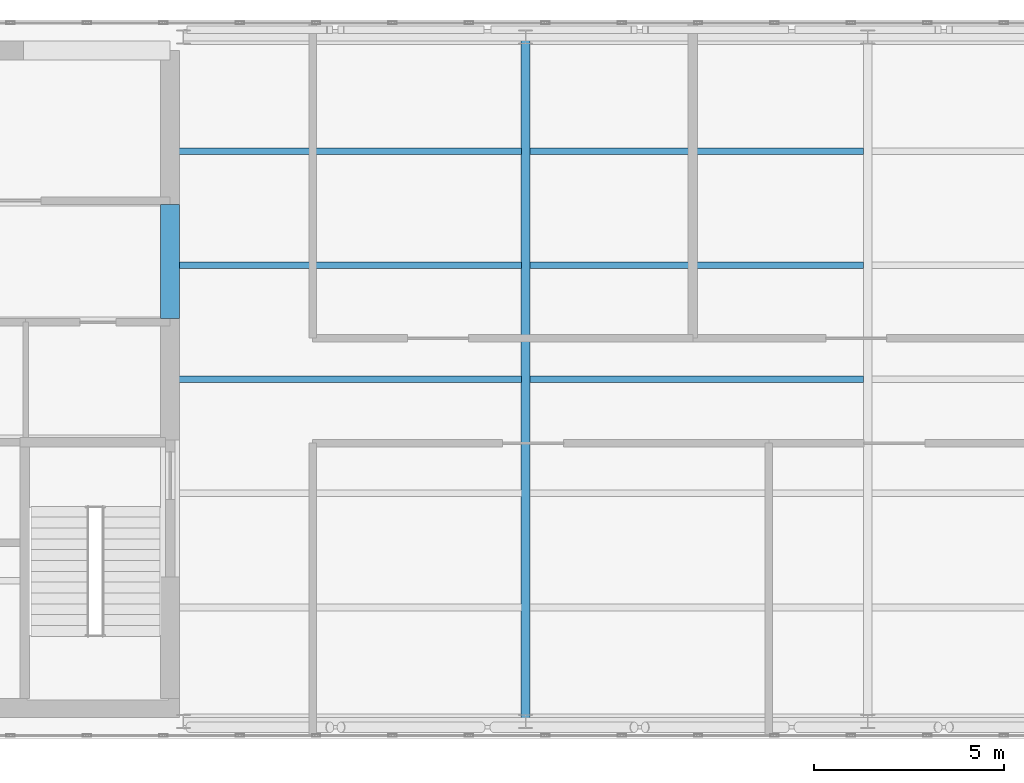
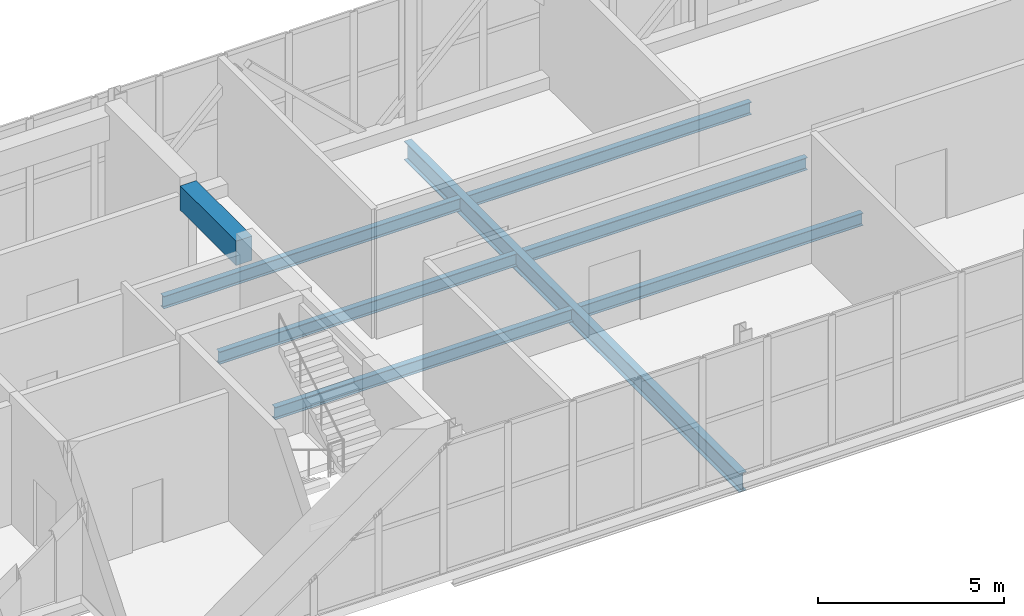
# One storey, part 9 of 21: 8 beams.
"""IFC4 building model written with IfcOpenShell, lengths in metres."""

import ifcopenshell
import ifcopenshell.guid

model = None  # the IFC model being written
_history = None  # IfcOwnerHistory: only IFC2X3 demands one
_inside = {}  # id of a spatial element -> (the spatial element, [elements in it])
_under = {}  # id of a project, library or spatial element -> (it, [spatial elements below it])
_declared = {}  # id of a project -> (the project, [libraries it declares])
_typed = {}  # id of a type object -> (the type object, [elements of that type])
_made_of = {}  # id of a material, layer set ... -> (it, [elements and type objects made of it])


def new_model(schema):
    """Start an empty IFC model of exactly this schema.

    Asked for "IFC4X3", IfcOpenShell would pick the latest addendum, in which some entities
    have other attributes; the version numbers below select the first issue.
    IFC2X3 requires an IfcOwnerHistory on every rooted entity: one is made here for all.
    """
    global model, _history
    if schema == "IFC4X3":
        model = ifcopenshell.file(schema_version=(4, 3, 0, 0))
    else:
        model = ifcopenshell.file(schema=schema)
    _inside.clear()
    _under.clear()
    _declared.clear()
    _typed.clear()
    _made_of.clear()
    _history = None
    if model.schema == "IFC2X3":
        org = make("IfcOrganization", Name="unknown")
        user = make(
            "IfcPersonAndOrganization",
            ThePerson=make("IfcPerson", FamilyName="unknown"),
            TheOrganization=org,
        )
        app = make(
            "IfcApplication",
            ApplicationDeveloper=org,
            Version="unknown",
            ApplicationFullName="unknown",
            ApplicationIdentifier="unknown",
        )
        _history = make(
            "IfcOwnerHistory",
            OwningUser=user,
            OwningApplication=app,
            ChangeAction="ADDED",
            CreationDate=0,
        )
    return model


def make(cls, **values):
    """One entity of the class cls with the attributes given. An attribute that is None is left unset."""
    return model.create_entity(
        cls, **{name: value for name, value in values.items() if value is not None}
    )


def rooted(cls, **values):
    """An entity with a GlobalId (a new one), such as an element, a storey or a relation."""
    return make(cls, GlobalId=ifcopenshell.guid.new(), OwnerHistory=_history, **values)


def si_unit(unit_type, name, prefix=None):
    """IfcSIUnit, for example si_unit("LENGTHUNIT", "METRE", prefix="MILLI")."""
    return make("IfcSIUnit", UnitType=unit_type, Prefix=prefix, Name=name)


def assignment(units):
    """IfcUnitAssignment: the units of a project."""
    return None if units is None else make("IfcUnitAssignment", Units=units)


def point(xyz):
    """IfcCartesianPoint."""
    return None if xyz is None else make("IfcCartesianPoint", Coordinates=xyz)


def direction(xyz):
    """IfcDirection."""
    return None if xyz is None else make("IfcDirection", DirectionRatios=xyz)


def frame(location, z_axis=None, x_axis=None):
    """IfcAxis2Placement3D, a coordinate frame: its origin and axes. An axis left out is left unset."""
    return make(
        "IfcAxis2Placement3D",
        Location=point(location),
        Axis=direction(z_axis),
        RefDirection=direction(x_axis),
    )


def frame_2d(location, x_axis=None):
    """IfcAxis2Placement2D, a coordinate frame in the plane: its origin and x axis."""
    return make(
        "IfcAxis2Placement2D", Location=point(location), RefDirection=direction(x_axis)
    )


def origin():
    """The frame at (0, 0, 0) with its axes left unset."""
    return frame((0.0, 0.0, 0.0))


def origin_2d():
    """The frame at (0, 0) in the plane with its x axis left unset."""
    return frame_2d((0.0, 0.0))


def place(relative_to, where):
    """IfcLocalPlacement: puts the frame where relative to a parent placement (None: the world)."""
    return make(
        "IfcLocalPlacement", PlacementRelTo=relative_to, RelativePlacement=where
    )


def context(
    kind, dimensions, precision=None, world=None, true_north=None, identifier=None
):
    """IfcGeometricRepresentationContext, for example the 3D "Model" context."""
    return make(
        "IfcGeometricRepresentationContext",
        ContextIdentifier=identifier,
        ContextType=kind,
        CoordinateSpaceDimension=dimensions,
        Precision=precision,
        WorldCoordinateSystem=world,
        TrueNorth=true_north,
    )


def subcontext(parent, identifier, kind, view, scale=None):
    """IfcGeometricRepresentationSubContext, for example "Body" below "Model"."""
    return make(
        "IfcGeometricRepresentationSubContext",
        ContextIdentifier=identifier,
        ContextType=kind,
        ParentContext=parent,
        TargetScale=scale,
        TargetView=view,
    )


def project(units=None, contexts=None):
    """IfcProject with its units and contexts."""
    return rooted(
        "IfcProject",
        Name="project",
        RepresentationContexts=contexts,
        UnitsInContext=assignment(units),
    )


def spatial(cls, under=None, at=None, **own):
    """A site, building, storey or space (cls), placed at a placement, below another one or the project."""
    s = rooted(cls, ObjectPlacement=at, **own)
    if under is not None:
        _under.setdefault(under.id(), (under, []))[1].append(s)
    return s


def profile(cls, at=None, kind="AREA", **sizes):
    """A parametric profile (cls). Its sizes go by their IFC names, for example OverallWidth=200.0."""
    return make(cls, ProfileType=kind, Position=at, **sizes)


def rectangle(**sizes):
    """IfcRectangleProfileDef."""
    return profile("IfcRectangleProfileDef", **sizes)


def i_section(**sizes):
    """IfcIShapeProfileDef."""
    return profile("IfcIShapeProfileDef", **sizes)


def extrude(swept, where, along, depth):
    """IfcExtrudedAreaSolid: the profile swept, set in the frame where, extruded along a direction by depth."""
    return make(
        "IfcExtrudedAreaSolid",
        SweptArea=swept,
        Position=where,
        ExtrudedDirection=direction(along),
        Depth=depth,
    )


def shape(context_of_items, identifier, shape_type, items):
    """IfcShapeRepresentation: the items that make up one representation, for example the "Body"."""
    return make(
        "IfcShapeRepresentation",
        ContextOfItems=context_of_items,
        RepresentationIdentifier=identifier,
        RepresentationType=shape_type,
        Items=items,
    )


def material(Name=None, Category=None):
    """IfcMaterial."""
    return make("IfcMaterial", Name=Name, Category=Category)


def material_profile(
    of_material, cross_section, Name=None, Category=None, Priority=None
):
    """IfcMaterialProfile: a cross section and its material."""
    return make(
        "IfcMaterialProfile",
        Name=Name,
        Material=of_material,
        Profile=cross_section,
        Priority=Priority,
        Category=Category,
    )


def profile_set(profiles, Name=None, composite=None):
    """IfcMaterialProfileSet."""
    return make(
        "IfcMaterialProfileSet",
        Name=Name,
        MaterialProfiles=profiles,
        CompositeProfile=composite,
    )


def made_of(thing, what):
    """Note that an element or type object is made of a material, layer set ...; save() writes the relation."""
    if what is not None:
        _made_of.setdefault(what.id(), (what, []))[1].append(thing)
    return thing


def type_object(cls, material=None, **own):
    """A type object (cls), such as IfcWallType, which elements share."""
    return made_of(rooted(cls, **own), material)


def element(
    cls,
    number,
    at=None,
    inside=None,
    cuts=None,
    type_object=None,
    material=None,
    context=None,
    identifier="Body",
    shape_type=None,
    held_by="IfcProductDefinitionShape",
    body=None,
    shapes=None,
    **own,
):
    """One element of the class cls, such as IfcWall. Its Tag is "e" and its number.

    at: its placement. inside: the storey or other place that contains it. cuts: it is an
    opening in that element (IfcRelVoidsElement). A single representation is given by context,
    identifier, shape_type and body (its items); several are given by shapes. held_by: the class
    of the entity that holds the representations. save() writes the other relations.
    """
    e = rooted(cls, Tag="e%d" % number, ObjectPlacement=at, **own)
    if body is not None:
        shapes = [shape(context, identifier, shape_type, body)]
    if shapes is not None:
        e.Representation = make(held_by, Representations=shapes)
    if inside is not None:
        _inside.setdefault(inside.id(), (inside, []))[1].append(e)
    if cuts is not None:
        rooted(
            "IfcRelVoidsElement", RelatingBuildingElement=cuts, RelatedOpeningElement=e
        )
    if type_object is not None:
        _typed.setdefault(type_object.id(), (type_object, []))[1].append(e)
    return made_of(e, material)


def aggregate(whole, parts):
    """IfcRelAggregates: a whole, such as a stair, and the parts it consists of."""
    return rooted("IfcRelAggregates", RelatingObject=whole, RelatedObjects=parts)


def save(model, path):
    """Write the relations noted so far, then the file.

    IfcRelAggregates (storeys below a building ...), IfcRelContainedInSpatialStructure (elements
    in a storey), IfcRelDefinesByType, IfcRelAssociatesMaterial and IfcRelDeclares: one each for
    every whole, place, type object, material and project.
    """
    for whole, parts in _under.values():
        aggregate(whole, parts)
    for where, things in _inside.values():
        rooted(
            "IfcRelContainedInSpatialStructure",
            RelatedElements=things,
            RelatingStructure=where,
        )
    for kind, things in _typed.values():
        rooted("IfcRelDefinesByType", RelatedObjects=things, RelatingType=kind)
    for what, things in _made_of.values():
        rooted("IfcRelAssociatesMaterial", RelatedObjects=things, RelatingMaterial=what)
    for by, libraries in _declared.values():
        rooted("IfcRelDeclares", RelatingContext=by, RelatedDefinitions=libraries)
    model.write(path)


model = new_model("IFC4")

# Units and contexts
model_context = context("Model", 3, precision=1e-05, world=origin(), true_north=direction((0.0, 1.0)))
body_context = subcontext(model_context, "Body", "Model", "MODEL_VIEW")
ifc_project = project(units=[si_unit("LENGTHUNIT", "METRE"), si_unit("AREAUNIT", "SQUARE_METRE"), si_unit("VOLUMEUNIT", "CUBIC_METRE"), si_unit("PLANEANGLEUNIT", "RADIAN"), si_unit("MASSUNIT", "GRAM", prefix="KILO")], contexts=[model_context])

# Site, building, storey
site_placement = place(None, origin())
site = spatial("IfcSite", under=ifc_project, at=site_placement, CompositionType="ELEMENT")
building_placement = place(site_placement, origin())
building = spatial("IfcBuilding", under=site, at=building_placement, Name="Mawjdan Bourse Tower", CompositionType="ELEMENT")
storey_placement = place(building_placement, frame((0.0, 0.0, 317.699951171875)))
storey = spatial("IfcBuildingStorey", under=building, at=storey_placement, Name="L78", CompositionType="ELEMENT", Elevation=317.699951171875)

# Beams
ifc_material_1 = material(Name="Structural Steel S355", Category="steel")
ifc_material_profile_1 = material_profile(ifc_material_1, i_section(OverallWidth=0.22998046875, OverallDepth=0.616943359375, WebThickness=0.01318359375, FlangeThickness=0.022216796875, FilletRadius=0.017822265625, at=origin_2d()), Name="W24X94")
ifc_profile_set_1 = profile_set([ifc_material_profile_1], Name="Structural Steel S355")
beam_type_1 = type_object("IfcBeamType", Name="GRD-W24X94", PredefinedType="BEAM", material=ifc_profile_set_1)
beam_1_placement = place(storey_placement, frame((33.0, 3.0, -0.58837890625), z_axis=(0.0, 1.0, 0.0), x_axis=(-1.0, 0.0, 0.0)))
element("IfcBeam", 1, at=beam_1_placement, inside=storey, type_object=beam_type_1, Name="L78 East Wing Clear-Span Girder 002", PredefinedType="BEAM", context=body_context, shape_type="SweptSolid", body=[
    extrude(i_section(OverallWidth=0.22998046875, OverallDepth=0.616943359375, WebThickness=0.01318359375, FlangeThickness=0.022216796875, FilletRadius=0.017822265625, at=origin_2d()), origin(), (0.0, 0.0, 1.0), 18.0),
])
ifc_material_profile_2 = material_profile(ifc_material_1, i_section(OverallWidth=0.177978515625, OverallDepth=0.406982421875, WebThickness=0.0078125, FlangeThickness=0.0126953125, FilletRadius=0.01025390625, at=origin_2d()), Name="W16X40")
ifc_profile_set_2 = profile_set([ifc_material_profile_2], Name="Structural Steel S355")
beam_type_2 = type_object("IfcBeamType", Name="JST-W16X40", PredefinedType="JOIST", material=ifc_profile_set_2)
beam_2_placement = place(storey_placement, frame((23.64990234375, 12.0, -0.4833984375), z_axis=(1.0, 0.0, 0.0), x_axis=(0.0, 1.0, 0.0)))
element("IfcBeam", 2, at=beam_2_placement, inside=storey, type_object=beam_type_2, Name="L78 East Wing Composite Joist 017", PredefinedType="JOIST", context=body_context, shape_type="SweptSolid", body=[
    extrude(i_section(OverallWidth=0.177978515625, OverallDepth=0.406982421875, WebThickness=0.0078125, FlangeThickness=0.0126953125, FilletRadius=0.01025390625, at=origin_2d()), origin(), (0.0, 0.0, 1.0), 9.237060546875),
])
beam_3_placement = place(storey_placement, frame((33.113037109375, 12.0, -0.4833984375), z_axis=(1.0, 0.0, 0.0), x_axis=(0.0, 1.0, 0.0)))
element("IfcBeam", 3, at=beam_3_placement, inside=storey, type_object=beam_type_2, Name="L78 East Wing Composite Joist 018", PredefinedType="JOIST", context=body_context, shape_type="SweptSolid", body=[
    extrude(i_section(OverallWidth=0.177978515625, OverallDepth=0.406982421875, WebThickness=0.0078125, FlangeThickness=0.0126953125, FilletRadius=0.01025390625, at=origin_2d()), origin(), (0.0, 0.0, 1.0), 8.77392578125),
])
beam_4_placement = place(storey_placement, frame((23.64990234375, 15.0, -0.4833984375), z_axis=(1.0, 0.0, 0.0), x_axis=(0.0, 1.0, 0.0)))
element("IfcBeam", 4, at=beam_4_placement, inside=storey, type_object=beam_type_2, Name="L78 East Wing Composite Joist 020", PredefinedType="JOIST", context=body_context, shape_type="SweptSolid", body=[
    extrude(i_section(OverallWidth=0.177978515625, OverallDepth=0.406982421875, WebThickness=0.0078125, FlangeThickness=0.0126953125, FilletRadius=0.01025390625, at=origin_2d()), origin(), (0.0, 0.0, 1.0), 9.237060546875),
])
beam_5_placement = place(storey_placement, frame((33.113037109375, 15.0, -0.4833984375), z_axis=(1.0, 0.0, 0.0), x_axis=(0.0, 1.0, 0.0)))
element("IfcBeam", 5, at=beam_5_placement, inside=storey, type_object=beam_type_2, Name="L78 East Wing Composite Joist 021", PredefinedType="JOIST", context=body_context, shape_type="SweptSolid", body=[
    extrude(i_section(OverallWidth=0.177978515625, OverallDepth=0.406982421875, WebThickness=0.0078125, FlangeThickness=0.0126953125, FilletRadius=0.01025390625, at=origin_2d()), origin(), (0.0, 0.0, 1.0), 8.77392578125),
])
beam_6_placement = place(storey_placement, frame((23.64990234375, 18.0, -0.4833984375), z_axis=(1.0, 0.0, 0.0), x_axis=(0.0, 1.0, 0.0)))
element("IfcBeam", 6, at=beam_6_placement, inside=storey, type_object=beam_type_2, Name="L78 East Wing Composite Joist 023", PredefinedType="JOIST", context=body_context, shape_type="SweptSolid", body=[
    extrude(i_section(OverallWidth=0.177978515625, OverallDepth=0.406982421875, WebThickness=0.0078125, FlangeThickness=0.0126953125, FilletRadius=0.01025390625, at=origin_2d()), origin(), (0.0, 0.0, 1.0), 9.237060546875),
])
beam_7_placement = place(storey_placement, frame((33.113037109375, 18.0, -0.4833984375), z_axis=(1.0, 0.0, 0.0), x_axis=(0.0, 1.0, 0.0)))
element("IfcBeam", 7, at=beam_7_placement, inside=storey, type_object=beam_type_2, Name="L78 East Wing Composite Joist 024", PredefinedType="JOIST", context=body_context, shape_type="SweptSolid", body=[
    extrude(i_section(OverallWidth=0.177978515625, OverallDepth=0.406982421875, WebThickness=0.0078125, FlangeThickness=0.0126953125, FilletRadius=0.01025390625, at=origin_2d()), origin(), (0.0, 0.0, 1.0), 8.77392578125),
])
ifc_material_2 = material(Name="Concrete C70/85", Category="concrete")
ifc_material_profile_3 = material_profile(ifc_material_2, rectangle(XDim=0.5, YDim=0.800048828125, at=origin_2d()), Name="RCB500X800")
ifc_profile_set_3 = profile_set([ifc_material_profile_3], Name="Concrete C70/85")
beam_type_3 = type_object("IfcBeamType", Name="LNT-RCB500X800", PredefinedType="LINTEL", material=ifc_profile_set_3)
beam_8_placement = place(storey_placement, frame((23.64990234375, 13.60009765625, 3.840087890625), z_axis=(0.0, 1.0, 0.0), x_axis=(-1.0, 0.0, 0.0)))
element("IfcBeam", 8, at=beam_8_placement, inside=storey, type_object=beam_type_3, Name="L78 Coupled Core Lintel CB-E2", PredefinedType="LINTEL", context=body_context, shape_type="SweptSolid", body=[
    extrude(rectangle(XDim=0.5, YDim=0.800048828125, at=origin_2d()), origin(), (0.0, 0.0, 1.0), 3.0),
])

save(model, "model.ifc")
